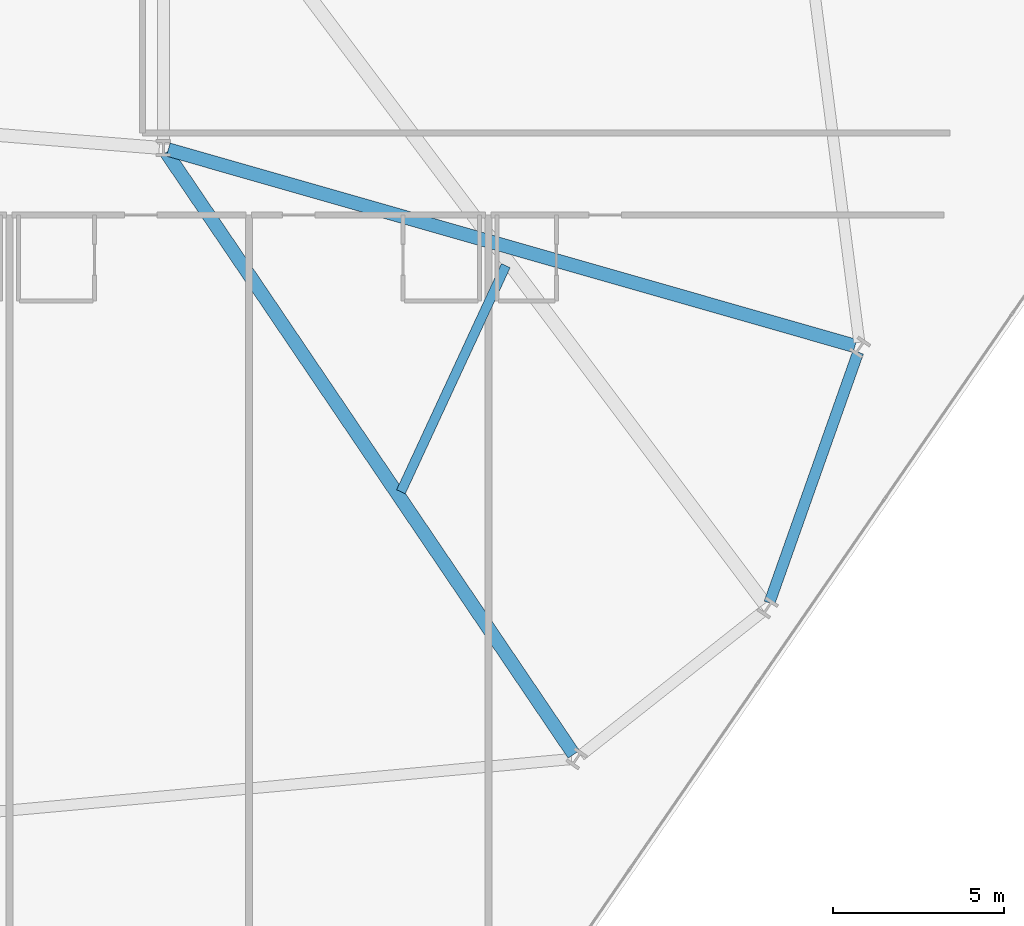
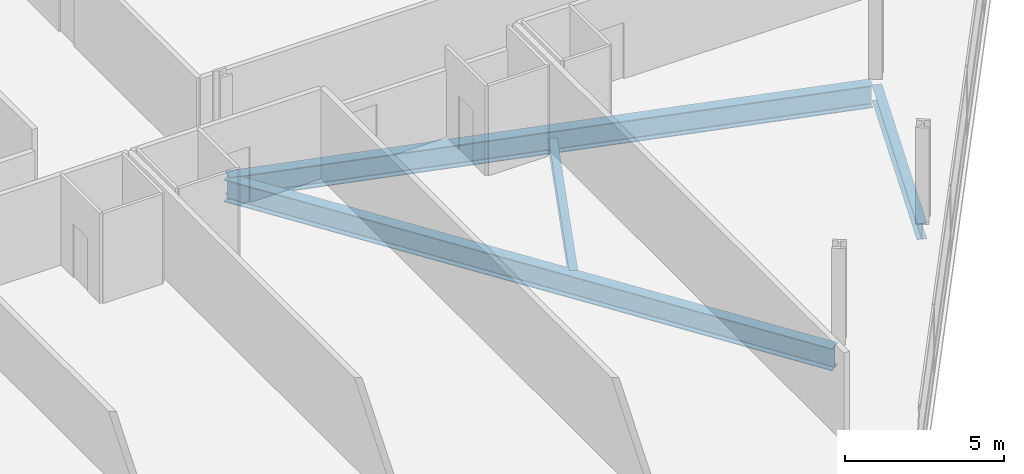
# One storey, part 8 of 25: 4 beams.
"""IFC4 building model written with IfcOpenShell, lengths in metres."""

import ifcopenshell
import ifcopenshell.guid

model = None  # the IFC model being written
_history = None  # IfcOwnerHistory: only IFC2X3 demands one
_inside = {}  # id of a spatial element -> (the spatial element, [elements in it])
_under = {}  # id of a project, library or spatial element -> (it, [spatial elements below it])
_declared = {}  # id of a project -> (the project, [libraries it declares])
_typed = {}  # id of a type object -> (the type object, [elements of that type])
_made_of = {}  # id of a material, layer set ... -> (it, [elements and type objects made of it])


def new_model(schema):
    """Start an empty IFC model of exactly this schema.

    Asked for "IFC4X3", IfcOpenShell would pick the latest addendum, in which some entities
    have other attributes; the version numbers below select the first issue.
    IFC2X3 requires an IfcOwnerHistory on every rooted entity: one is made here for all.
    """
    global model, _history
    if schema == "IFC4X3":
        model = ifcopenshell.file(schema_version=(4, 3, 0, 0))
    else:
        model = ifcopenshell.file(schema=schema)
    _inside.clear()
    _under.clear()
    _declared.clear()
    _typed.clear()
    _made_of.clear()
    _history = None
    if model.schema == "IFC2X3":
        org = make("IfcOrganization", Name="unknown")
        user = make(
            "IfcPersonAndOrganization",
            ThePerson=make("IfcPerson", FamilyName="unknown"),
            TheOrganization=org,
        )
        app = make(
            "IfcApplication",
            ApplicationDeveloper=org,
            Version="unknown",
            ApplicationFullName="unknown",
            ApplicationIdentifier="unknown",
        )
        _history = make(
            "IfcOwnerHistory",
            OwningUser=user,
            OwningApplication=app,
            ChangeAction="ADDED",
            CreationDate=0,
        )
    return model


def make(cls, **values):
    """One entity of the class cls with the attributes given. An attribute that is None is left unset."""
    return model.create_entity(
        cls, **{name: value for name, value in values.items() if value is not None}
    )


def rooted(cls, **values):
    """An entity with a GlobalId (a new one), such as an element, a storey or a relation."""
    return make(cls, GlobalId=ifcopenshell.guid.new(), OwnerHistory=_history, **values)


def si_unit(unit_type, name, prefix=None):
    """IfcSIUnit, for example si_unit("LENGTHUNIT", "METRE", prefix="MILLI")."""
    return make("IfcSIUnit", UnitType=unit_type, Prefix=prefix, Name=name)


def assignment(units):
    """IfcUnitAssignment: the units of a project."""
    return None if units is None else make("IfcUnitAssignment", Units=units)


def point(xyz):
    """IfcCartesianPoint."""
    return None if xyz is None else make("IfcCartesianPoint", Coordinates=xyz)


def direction(xyz):
    """IfcDirection."""
    return None if xyz is None else make("IfcDirection", DirectionRatios=xyz)


def frame(location, z_axis=None, x_axis=None):
    """IfcAxis2Placement3D, a coordinate frame: its origin and axes. An axis left out is left unset."""
    return make(
        "IfcAxis2Placement3D",
        Location=point(location),
        Axis=direction(z_axis),
        RefDirection=direction(x_axis),
    )


def frame_2d(location, x_axis=None):
    """IfcAxis2Placement2D, a coordinate frame in the plane: its origin and x axis."""
    return make(
        "IfcAxis2Placement2D", Location=point(location), RefDirection=direction(x_axis)
    )


def origin():
    """The frame at (0, 0, 0) with its axes left unset."""
    return frame((0.0, 0.0, 0.0))


def origin_2d():
    """The frame at (0, 0) in the plane with its x axis left unset."""
    return frame_2d((0.0, 0.0))


def place(relative_to, where):
    """IfcLocalPlacement: puts the frame where relative to a parent placement (None: the world)."""
    return make(
        "IfcLocalPlacement", PlacementRelTo=relative_to, RelativePlacement=where
    )


def context(
    kind, dimensions, precision=None, world=None, true_north=None, identifier=None
):
    """IfcGeometricRepresentationContext, for example the 3D "Model" context."""
    return make(
        "IfcGeometricRepresentationContext",
        ContextIdentifier=identifier,
        ContextType=kind,
        CoordinateSpaceDimension=dimensions,
        Precision=precision,
        WorldCoordinateSystem=world,
        TrueNorth=true_north,
    )


def subcontext(parent, identifier, kind, view, scale=None):
    """IfcGeometricRepresentationSubContext, for example "Body" below "Model"."""
    return make(
        "IfcGeometricRepresentationSubContext",
        ContextIdentifier=identifier,
        ContextType=kind,
        ParentContext=parent,
        TargetScale=scale,
        TargetView=view,
    )


def project(units=None, contexts=None):
    """IfcProject with its units and contexts."""
    return rooted(
        "IfcProject",
        Name="project",
        RepresentationContexts=contexts,
        UnitsInContext=assignment(units),
    )


def spatial(cls, under=None, at=None, **own):
    """A site, building, storey or space (cls), placed at a placement, below another one or the project."""
    s = rooted(cls, ObjectPlacement=at, **own)
    if under is not None:
        _under.setdefault(under.id(), (under, []))[1].append(s)
    return s


def profile(cls, at=None, kind="AREA", **sizes):
    """A parametric profile (cls). Its sizes go by their IFC names, for example OverallWidth=200.0."""
    return make(cls, ProfileType=kind, Position=at, **sizes)


def i_section(**sizes):
    """IfcIShapeProfileDef."""
    return profile("IfcIShapeProfileDef", **sizes)


def extrude(swept, where, along, depth):
    """IfcExtrudedAreaSolid: the profile swept, set in the frame where, extruded along a direction by depth."""
    return make(
        "IfcExtrudedAreaSolid",
        SweptArea=swept,
        Position=where,
        ExtrudedDirection=direction(along),
        Depth=depth,
    )


def shape(context_of_items, identifier, shape_type, items):
    """IfcShapeRepresentation: the items that make up one representation, for example the "Body"."""
    return make(
        "IfcShapeRepresentation",
        ContextOfItems=context_of_items,
        RepresentationIdentifier=identifier,
        RepresentationType=shape_type,
        Items=items,
    )


def material(Name=None, Category=None):
    """IfcMaterial."""
    return make("IfcMaterial", Name=Name, Category=Category)


def material_profile(
    of_material, cross_section, Name=None, Category=None, Priority=None
):
    """IfcMaterialProfile: a cross section and its material."""
    return make(
        "IfcMaterialProfile",
        Name=Name,
        Material=of_material,
        Profile=cross_section,
        Priority=Priority,
        Category=Category,
    )


def profile_set(profiles, Name=None, composite=None):
    """IfcMaterialProfileSet."""
    return make(
        "IfcMaterialProfileSet",
        Name=Name,
        MaterialProfiles=profiles,
        CompositeProfile=composite,
    )


def made_of(thing, what):
    """Note that an element or type object is made of a material, layer set ...; save() writes the relation."""
    if what is not None:
        _made_of.setdefault(what.id(), (what, []))[1].append(thing)
    return thing


def type_object(cls, material=None, **own):
    """A type object (cls), such as IfcWallType, which elements share."""
    return made_of(rooted(cls, **own), material)


def element(
    cls,
    number,
    at=None,
    inside=None,
    cuts=None,
    type_object=None,
    material=None,
    context=None,
    identifier="Body",
    shape_type=None,
    held_by="IfcProductDefinitionShape",
    body=None,
    shapes=None,
    **own,
):
    """One element of the class cls, such as IfcWall. Its Tag is "e" and its number.

    at: its placement. inside: the storey or other place that contains it. cuts: it is an
    opening in that element (IfcRelVoidsElement). A single representation is given by context,
    identifier, shape_type and body (its items); several are given by shapes. held_by: the class
    of the entity that holds the representations. save() writes the other relations.
    """
    e = rooted(cls, Tag="e%d" % number, ObjectPlacement=at, **own)
    if body is not None:
        shapes = [shape(context, identifier, shape_type, body)]
    if shapes is not None:
        e.Representation = make(held_by, Representations=shapes)
    if inside is not None:
        _inside.setdefault(inside.id(), (inside, []))[1].append(e)
    if cuts is not None:
        rooted(
            "IfcRelVoidsElement", RelatingBuildingElement=cuts, RelatedOpeningElement=e
        )
    if type_object is not None:
        _typed.setdefault(type_object.id(), (type_object, []))[1].append(e)
    return made_of(e, material)


def aggregate(whole, parts):
    """IfcRelAggregates: a whole, such as a stair, and the parts it consists of."""
    return rooted("IfcRelAggregates", RelatingObject=whole, RelatedObjects=parts)


def save(model, path):
    """Write the relations noted so far, then the file.

    IfcRelAggregates (storeys below a building ...), IfcRelContainedInSpatialStructure (elements
    in a storey), IfcRelDefinesByType, IfcRelAssociatesMaterial and IfcRelDeclares: one each for
    every whole, place, type object, material and project.
    """
    for whole, parts in _under.values():
        aggregate(whole, parts)
    for where, things in _inside.values():
        rooted(
            "IfcRelContainedInSpatialStructure",
            RelatedElements=things,
            RelatingStructure=where,
        )
    for kind, things in _typed.values():
        rooted("IfcRelDefinesByType", RelatedObjects=things, RelatingType=kind)
    for what, things in _made_of.values():
        rooted("IfcRelAssociatesMaterial", RelatedObjects=things, RelatingMaterial=what)
    for by, libraries in _declared.values():
        rooted("IfcRelDeclares", RelatingContext=by, RelatedDefinitions=libraries)
    model.write(path)


model = new_model("IFC4")

# Units and contexts
model_context = context("Model", 3, precision=1e-05, world=origin(), true_north=direction((0.0, 1.0)))
body_context = subcontext(model_context, "Body", "Model", "MODEL_VIEW")
ifc_project = project(units=[si_unit("LENGTHUNIT", "METRE"), si_unit("AREAUNIT", "SQUARE_METRE"), si_unit("VOLUMEUNIT", "CUBIC_METRE"), si_unit("PLANEANGLEUNIT", "RADIAN"), si_unit("MASSUNIT", "GRAM", prefix="KILO")], contexts=[model_context])

# Site, building, storey
site_placement = place(None, origin())
site = spatial("IfcSite", under=ifc_project, at=site_placement, CompositionType="ELEMENT")
building_placement = place(site_placement, origin())
building = spatial("IfcBuilding", under=site, at=building_placement, Name="Varnelok Gate Tower", CompositionType="ELEMENT")
storey_placement = place(building_placement, frame((0.0, 0.0, 52.89990234375)))
storey = spatial("IfcBuildingStorey", under=building, at=storey_placement, Name="L12", CompositionType="ELEMENT", Elevation=52.89990234375)

# Beams
ifc_material = material(Name="Structural Steel ASTM A992 Grade 50", Category="steel")
ifc_material_profile_1 = material_profile(ifc_material, i_section(OverallWidth=0.280029296875, OverallDepth=0.462890625, WebThickness=0.0107421875, FlangeThickness=0.017333984375, FilletRadius=0.014892578125, at=origin_2d()), Name="W18X76")
ifc_profile_set_1 = profile_set([ifc_material_profile_1], Name="Structural Steel ASTM A992 Grade 50")
beam_type_1 = type_object("IfcBeamType", Name="BM-JST-W18X76", PredefinedType="JOIST", material=ifc_profile_set_1)
beam_1_placement = place(storey_placement, frame((60.947265625, 8.75390625, -0.4814453125), z_axis=(0.420674230726, 0.907211767783, 0.0), x_axis=(-0.907211767783, 0.420674230726, 0.0)))
element("IfcBeam", 1, at=beam_1_placement, inside=storey, type_object=beam_type_1, Name="L12 Sector Floor Joist 5", PredefinedType="JOIST", context=body_context, shape_type="SweptSolid", body=[
    extrude(i_section(OverallWidth=0.280029296875, OverallDepth=0.462890625, WebThickness=0.0107421875, FlangeThickness=0.017333984375, FilletRadius=0.014892578125, at=origin_2d()), origin(), (0.0, 0.0, 1.0), 7.28759765625),
])
ifc_material_profile_2 = material_profile(ifc_material, i_section(OverallWidth=0.39892578125, OverallDepth=0.85498046875, WebThickness=0.018310546875, FlangeThickness=0.029296875, FilletRadius=0.02392578125, at=origin_2d()), Name="W33X201")
ifc_profile_set_2 = profile_set([ifc_material_profile_2], Name="Structural Steel ASTM A992 Grade 50")
beam_type_2 = type_object("IfcBeamType", Name="BM-PRI-W33X201", PredefinedType="BEAM", material=ifc_profile_set_2)
beam_2_placement = place(storey_placement, frame((54.083984375, 18.67578125, -0.677490234375), z_axis=(0.560684565433, -0.828029478995, 0.0), x_axis=(0.828029478995, 0.560684565433, 0.0)))
element("IfcBeam", 2, at=beam_2_placement, inside=storey, type_object=beam_type_2, Name="L12 Radial Floor Girder 6", PredefinedType="BEAM", context=body_context, shape_type="SweptSolid", body=[
    extrude(i_section(OverallWidth=0.39892578125, OverallDepth=0.85498046875, WebThickness=0.018310546875, FlangeThickness=0.029296875, FilletRadius=0.02392578125, at=origin_2d()), origin(), (0.0, 0.0, 1.0), 21.25390625),
])
beam_3_placement = place(storey_placement, frame((54.144287109375, 18.7587890625, -0.677490234375), z_axis=(0.961463485116, -0.274932658643, 0.0), x_axis=(0.274932658643, 0.961463485116, 0.0)))
element("IfcBeam", 3, at=beam_3_placement, inside=storey, type_object=beam_type_2, Name="L12 Radial Floor Girder 8", PredefinedType="BEAM", context=body_context, shape_type="SweptSolid", body=[
    extrude(i_section(OverallWidth=0.39892578125, OverallDepth=0.85498046875, WebThickness=0.018310546875, FlangeThickness=0.029296875, FilletRadius=0.02392578125, at=origin_2d()), origin(), (0.0, 0.0, 1.0), 20.883056640625),
])
ifc_material_profile_3 = material_profile(ifc_material, i_section(OverallWidth=0.323974609375, OverallDepth=0.611083984375, WebThickness=0.0126953125, FlangeThickness=0.01904296875, FilletRadius=0.01806640625, at=origin_2d()), Name="W24X104")
ifc_profile_set_3 = profile_set([ifc_material_profile_3], Name="Structural Steel ASTM A992 Grade 50")
beam_type_3 = type_object("IfcBeamType", Name="BM-SPN-W24X104", PredefinedType="SPANDREL", material=ifc_profile_set_3)
beam_4_placement = place(storey_placement, frame((71.72021484375, 5.50390625, -0.555419921875), z_axis=(0.333887238705, 0.942613023372, 0.0), x_axis=(-0.942613023372, 0.333887238705, 0.0)))
element("IfcBeam", 4, at=beam_4_placement, inside=storey, type_object=beam_type_3, Name="L12 Perimeter Spandrel Beam 7", PredefinedType="SPANDREL", context=body_context, shape_type="SweptSolid", body=[
    extrude(i_section(OverallWidth=0.323974609375, OverallDepth=0.611083984375, WebThickness=0.0126953125, FlangeThickness=0.01904296875, FilletRadius=0.01806640625, at=origin_2d()), origin(), (0.0, 0.0, 1.0), 7.777099609375),
])

save(model, "model.ifc")
